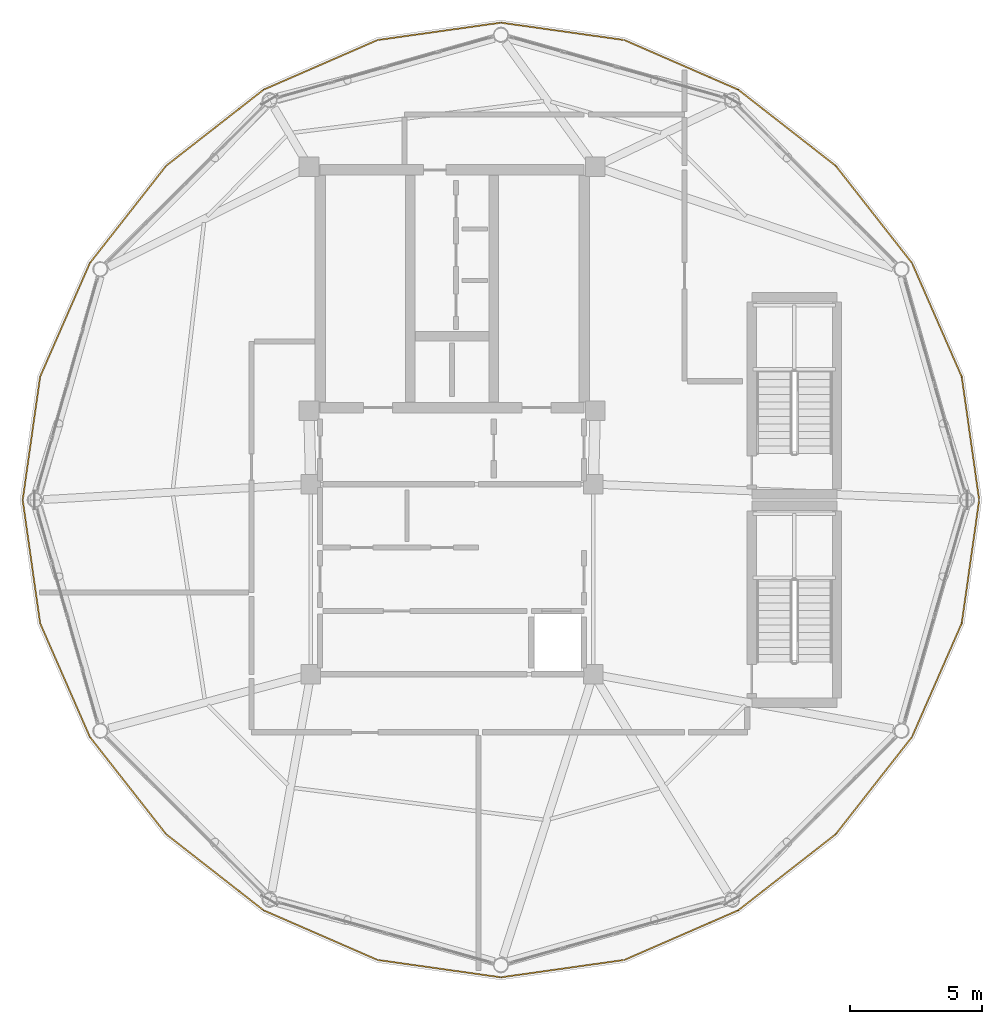
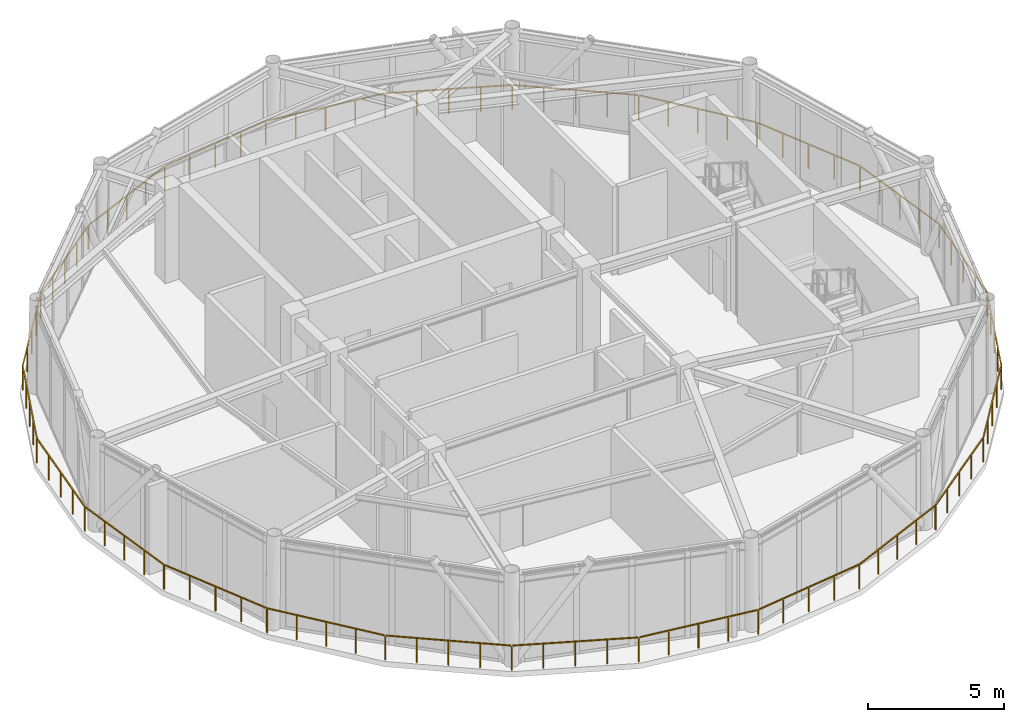
# One storey, part 20 of 21: 1 railing.
"""IFC4 building model written with IfcOpenShell, lengths in metres."""

from ifc_helpers import new_model, si_unit, direction, frame, origin, origin_2d, place, context, subcontext, project, spatial, rectangle, extrude, material, type_object, element, save


model = new_model("IFC4")

# Units and contexts
model_context = context("Model", 3, precision=1e-05, world=origin(), true_north=direction((0.0, 1.0)))
body_context = subcontext(model_context, "Body", "Model", "MODEL_VIEW")
ifc_project = project(units=[si_unit("LENGTHUNIT", "METRE"), si_unit("AREAUNIT", "SQUARE_METRE"), si_unit("VOLUMEUNIT", "CUBIC_METRE"), si_unit("PLANEANGLEUNIT", "RADIAN"), si_unit("MASSUNIT", "GRAM", prefix="KILO")], contexts=[model_context])

# Site, building, storey
site_placement = place(None, origin())
site = spatial("IfcSite", under=ifc_project, at=site_placement, CompositionType="ELEMENT")
building_placement = place(site_placement, origin())
building = spatial("IfcBuilding", under=site, at=building_placement, Name="Varnakorn Sky Granary", CompositionType="ELEMENT")
storey_placement = place(building_placement, frame((0.0, 0.0, 294.0)))
storey = spatial("IfcBuildingStorey", under=building, at=storey_placement, Name="L75", CompositionType="ELEMENT", Elevation=294.0)

# Railing
ifc_material = material(Name="Anodised Bronze Aluminium Alloy 6063-T6", Category="aluminium")
railing_type = type_object("IfcRailingType", Name="RL-BAL-1120", PredefinedType="BALUSTRADE", material=ifc_material)
railing_placement = place(storey_placement, frame((22.962890625, 0.0, 0.0)))
element("IfcRailing", 1, at=railing_placement, inside=storey, type_object=railing_type, Name="Perimeter Slab-Edge Safety Guard L75", PredefinedType="BALUSTRADE", context=body_context, shape_type="SweptSolid", body=[
    extrude(rectangle(XDim=0.048095703125, YDim=0.048095703125, at=origin_2d()), frame((-0.00390625, -0.02783203125, 1.09619140625), z_axis=(-0.140086674206, -0.990139244607, 0.0), x_axis=(0.990139244607, -0.140086674206, 0.0)), (0.0, 0.0, 1.0), 4.656494140625),
    extrude(rectangle(XDim=0.048095703125, YDim=0.048095703125, at=origin_2d()), frame((-0.67138671875, -4.691650390625, 1.09619140625), z_axis=(-0.400682516932, -0.916216961546, 0.0), x_axis=(0.916216961546, -0.400682516932, 0.0)), (0.0, 0.0, 1.0), 4.641845703125),
    extrude(rectangle(XDim=0.048095703125, YDim=0.048095703125, at=origin_2d()), frame((-2.559814453125, -8.9921875, 1.09619140625), z_axis=(-0.61698551262, -0.78697450862, 0.0), x_axis=(0.78697450862, -0.61698551262, 0.0)), (0.0, 0.0, 1.0), 4.62744140625),
    extrude(rectangle(XDim=0.048095703125, YDim=0.048095703125, at=origin_2d()), frame((-5.4541015625, -12.67333984375, 1.09619140625), z_axis=(-0.788130213824, -0.615508542636, 0.0), x_axis=(0.615508542636, -0.788130213824, 0.0)), (0.0, 0.0, 1.0), 4.629638671875),
    extrude(rectangle(XDim=0.048095703125, YDim=0.048095703125, at=origin_2d()), frame((-9.150634765625, -15.55126953125, 1.09619140625), z_axis=(-0.916782702899, -0.399386373911, 0.0), x_axis=(0.399386373911, -0.916782702899, 0.0)), (0.0, 0.0, 1.0), 4.6484375),
    extrude(rectangle(XDim=0.048095703125, YDim=0.048095703125, at=origin_2d()), frame((-13.4658203125, -17.4228515625, 1.09619140625), z_axis=(-0.990211511404, -0.139574935726, 0.0), x_axis=(0.139574935726, -0.990211511404, 0.0)), (0.0, 0.0, 1.0), 4.6650390625),
    extrude(rectangle(XDim=0.048095703125, YDim=0.048095703125, at=origin_2d()), frame((-18.140625, -18.073974609375, 1.09619140625), z_axis=(-0.990212518767, 0.139567788822, 0.0), x_axis=(-0.139567788822, -0.990212518767, 0.0)), (0.0, 0.0, 1.0), 4.665283203125),
    extrude(rectangle(XDim=0.048095703125, YDim=0.048095703125, at=origin_2d()), frame((-22.8134765625, -17.40771484375, 1.09619140625), z_axis=(-0.916782702899, 0.399386373911, 0.0), x_axis=(-0.399386373911, -0.916782702899, 0.0)), (0.0, 0.0, 1.0), 4.6484375),
    extrude(rectangle(XDim=0.048095703125, YDim=0.048095703125, at=origin_2d()), frame((-27.122802734375, -15.522705078125, 1.09619140625), z_axis=(-0.788130213824, 0.615508542636, 0.0), x_axis=(-0.615508542636, -0.788130213824, 0.0)), (0.0, 0.0, 1.0), 4.629638671875),
    extrude(rectangle(XDim=0.048095703125, YDim=0.048095703125, at=origin_2d()), frame((-30.81103515625, -12.634033203125, 1.09619140625), z_axis=(-0.61698551262, 0.78697450862, 0.0), x_axis=(-0.78697450862, -0.61698551262, 0.0)), (0.0, 0.0, 1.0), 4.62744140625),
    extrude(rectangle(XDim=0.048095703125, YDim=0.048095703125, at=origin_2d()), frame((-33.694580078125, -8.944580078125, 1.09619140625), z_axis=(-0.400682516932, 0.916216961546, 0.0), x_axis=(-0.916216961546, -0.400682516932, 0.0)), (0.0, 0.0, 1.0), 4.641845703125),
    extrude(rectangle(XDim=0.048095703125, YDim=0.048095703125, at=origin_2d()), frame((-35.569580078125, -4.63818359375, 1.09619140625), z_axis=(-0.140086674206, 0.990139244607, 0.0), x_axis=(-0.990139244607, -0.140086674206, 0.0)), (0.0, 0.0, 1.0), 4.656494140625),
    extrude(rectangle(XDim=0.048095703125, YDim=0.048095703125, at=origin_2d()), frame((-36.221923828125, 0.02783203125, 1.09619140625), z_axis=(0.140086674206, 0.990139244607, 0.0), x_axis=(-0.990139244607, 0.140086674206, 0.0)), (0.0, 0.0, 1.0), 4.656494140625),
    extrude(rectangle(XDim=0.048095703125, YDim=0.048095703125, at=origin_2d()), frame((-35.554443359375, 4.691650390625, 1.09619140625), z_axis=(0.400682516932, 0.916216961546, 0.0), x_axis=(-0.916216961546, 0.400682516932, 0.0)), (0.0, 0.0, 1.0), 4.641845703125),
    extrude(rectangle(XDim=0.048095703125, YDim=0.048095703125, at=origin_2d()), frame((-33.666015625, 8.9921875, 1.09619140625), z_axis=(0.61698551262, 0.78697450862, 0.0), x_axis=(-0.78697450862, 0.61698551262, 0.0)), (0.0, 0.0, 1.0), 4.62744140625),
    extrude(rectangle(XDim=0.048095703125, YDim=0.048095703125, at=origin_2d()), frame((-30.771728515625, 12.67333984375, 1.09619140625), z_axis=(0.788130213824, 0.615508542636, 0.0), x_axis=(-0.615508542636, 0.788130213824, 0.0)), (0.0, 0.0, 1.0), 4.629638671875),
    extrude(rectangle(XDim=0.048095703125, YDim=0.048095703125, at=origin_2d()), frame((-27.0751953125, 15.55126953125, 1.09619140625), z_axis=(0.916782702899, 0.399386373911, 0.0), x_axis=(-0.399386373911, 0.916782702899, 0.0)), (0.0, 0.0, 1.0), 4.6484375),
    extrude(rectangle(XDim=0.048095703125, YDim=0.048095703125, at=origin_2d()), frame((-22.760009765625, 17.4228515625, 1.09619140625), z_axis=(0.990212518767, 0.139567788822, 0.0), x_axis=(-0.139567788822, 0.990212518767, 0.0)), (0.0, 0.0, 1.0), 4.665283203125),
    extrude(rectangle(XDim=0.048095703125, YDim=0.048095703125, at=origin_2d()), frame((-18.0849609375, 18.073974609375, 1.09619140625), z_axis=(0.990211511404, -0.139574935726, 0.0), x_axis=(0.139574935726, 0.990211511404, 0.0)), (0.0, 0.0, 1.0), 4.6650390625),
    extrude(rectangle(XDim=0.048095703125, YDim=0.048095703125, at=origin_2d()), frame((-13.412353515625, 17.40771484375, 1.09619140625), z_axis=(0.916782702899, -0.399386373911, 0.0), x_axis=(0.399386373911, 0.916782702899, 0.0)), (0.0, 0.0, 1.0), 4.6484375),
    extrude(rectangle(XDim=0.048095703125, YDim=0.048095703125, at=origin_2d()), frame((-9.10302734375, 15.522705078125, 1.09619140625), z_axis=(0.788130213824, -0.615508542636, 0.0), x_axis=(0.615508542636, 0.788130213824, 0.0)), (0.0, 0.0, 1.0), 4.629638671875),
    extrude(rectangle(XDim=0.048095703125, YDim=0.048095703125, at=origin_2d()), frame((-5.414794921875, 12.634033203125, 1.09619140625), z_axis=(0.61698551262, -0.78697450862, 0.0), x_axis=(0.78697450862, 0.61698551262, 0.0)), (0.0, 0.0, 1.0), 4.62744140625),
    extrude(rectangle(XDim=0.048095703125, YDim=0.048095703125, at=origin_2d()), frame((-2.53125, 8.944580078125, 1.09619140625), z_axis=(0.400682516932, -0.916216961546, 0.0), x_axis=(0.916216961546, 0.400682516932, 0.0)), (0.0, 0.0, 1.0), 4.641845703125),
    extrude(rectangle(XDim=0.048095703125, YDim=0.048095703125, at=origin_2d()), frame((-0.65625, 4.63818359375, 1.09619140625), z_axis=(0.140086674206, -0.990139244607, 0.0), x_axis=(0.990139244607, 0.140086674206, 0.0)), (0.0, 0.0, 1.0), 4.656494140625),
    extrude(rectangle(XDim=0.0419921875, YDim=0.0419921875, at=origin_2d()), origin(), (0.0, 0.0, 1.0), 1.068115234375),
    extrude(rectangle(XDim=0.0419921875, YDim=0.0419921875, at=origin_2d()), frame((-0.1650390625, -1.16650390625, 0.0)), (0.0, 0.0, 1.0), 1.068115234375),
    extrude(rectangle(XDim=0.0419921875, YDim=0.0419921875, at=origin_2d()), frame((-0.330078125, -2.3330078125, 0.0)), (0.0, 0.0, 1.0), 1.068115234375),
    extrude(rectangle(XDim=0.0419921875, YDim=0.0419921875, at=origin_2d()), frame((-0.4951171875, -3.49951171875, 0.0)), (0.0, 0.0, 1.0), 1.068115234375),
    extrude(rectangle(XDim=0.0419921875, YDim=0.0419921875, at=origin_2d()), frame((-0.66015625, -4.666015625, 0.0)), (0.0, 0.0, 1.0), 1.068115234375),
    extrude(rectangle(XDim=0.0419921875, YDim=0.0419921875, at=origin_2d()), frame((-1.130859375, -5.7421875, 0.0)), (0.0, 0.0, 1.0), 1.068115234375),
    extrude(rectangle(XDim=0.0419921875, YDim=0.0419921875, at=origin_2d()), frame((-1.601318359375, -6.818115234375, 0.0)), (0.0, 0.0, 1.0), 1.068115234375),
    extrude(rectangle(XDim=0.0419921875, YDim=0.0419921875, at=origin_2d()), frame((-2.07177734375, -7.89404296875, 0.0)), (0.0, 0.0, 1.0), 1.068115234375),
    extrude(rectangle(XDim=0.0419921875, YDim=0.0419921875, at=origin_2d()), frame((-2.54248046875, -8.97021484375, 0.0)), (0.0, 0.0, 1.0), 1.068115234375),
    extrude(rectangle(XDim=0.0419921875, YDim=0.0419921875, at=origin_2d()), frame((-3.264892578125, -9.8916015625, 0.0)), (0.0, 0.0, 1.0), 1.068115234375),
    extrude(rectangle(XDim=0.0419921875, YDim=0.0419921875, at=origin_2d()), frame((-3.9873046875, -10.81298828125, 0.0)), (0.0, 0.0, 1.0), 1.068115234375),
    extrude(rectangle(XDim=0.0419921875, YDim=0.0419921875, at=origin_2d()), frame((-4.709716796875, -11.734619140625, 0.0)), (0.0, 0.0, 1.0), 1.068115234375),
    extrude(rectangle(XDim=0.0419921875, YDim=0.0419921875, at=origin_2d()), frame((-5.43212890625, -12.656005859375, 0.0)), (0.0, 0.0, 1.0), 1.068115234375),
    extrude(rectangle(XDim=0.0419921875, YDim=0.0419921875, at=origin_2d()), frame((-6.35546875, -13.376953125, 0.0)), (0.0, 0.0, 1.0), 1.068115234375),
    extrude(rectangle(XDim=0.0419921875, YDim=0.0419921875, at=origin_2d()), frame((-7.278564453125, -14.09814453125, 0.0)), (0.0, 0.0, 1.0), 1.068115234375),
    extrude(rectangle(XDim=0.0419921875, YDim=0.0419921875, at=origin_2d()), frame((-8.20166015625, -14.819091796875, 0.0)), (0.0, 0.0, 1.0), 1.068115234375),
    extrude(rectangle(XDim=0.0419921875, YDim=0.0419921875, at=origin_2d()), frame((-9.125, -15.5400390625, 0.0)), (0.0, 0.0, 1.0), 1.068115234375),
    extrude(rectangle(XDim=0.0419921875, YDim=0.0419921875, at=origin_2d()), frame((-10.203125, -16.009765625, 0.0)), (0.0, 0.0, 1.0), 1.068115234375),
    extrude(rectangle(XDim=0.0419921875, YDim=0.0419921875, at=origin_2d()), frame((-11.281494140625, -16.4794921875, 0.0)), (0.0, 0.0, 1.0), 1.068115234375),
    extrude(rectangle(XDim=0.0419921875, YDim=0.0419921875, at=origin_2d()), frame((-12.35986328125, -16.94921875, 0.0)), (0.0, 0.0, 1.0), 1.068115234375),
    extrude(rectangle(XDim=0.0419921875, YDim=0.0419921875, at=origin_2d()), frame((-13.43798828125, -17.4189453125, 0.0)), (0.0, 0.0, 1.0), 1.068115234375),
    extrude(rectangle(XDim=0.0419921875, YDim=0.0419921875, at=origin_2d()), frame((-14.606689453125, -17.583740234375, 0.0)), (0.0, 0.0, 1.0), 1.068115234375),
    extrude(rectangle(XDim=0.0419921875, YDim=0.0419921875, at=origin_2d()), frame((-15.775390625, -17.74853515625, 0.0)), (0.0, 0.0, 1.0), 1.068115234375),
    extrude(rectangle(XDim=0.0419921875, YDim=0.0419921875, at=origin_2d()), frame((-16.944091796875, -17.9130859375, 0.0)), (0.0, 0.0, 1.0), 1.068115234375),
    extrude(rectangle(XDim=0.0419921875, YDim=0.0419921875, at=origin_2d()), frame((-18.11279296875, -18.077880859375, 0.0)), (0.0, 0.0, 1.0), 1.068115234375),
    extrude(rectangle(XDim=0.0419921875, YDim=0.0419921875, at=origin_2d()), frame((-19.281494140625, -17.9130859375, 0.0)), (0.0, 0.0, 1.0), 1.068115234375),
    extrude(rectangle(XDim=0.0419921875, YDim=0.0419921875, at=origin_2d()), frame((-20.4501953125, -17.74853515625, 0.0)), (0.0, 0.0, 1.0), 1.068115234375),
    extrude(rectangle(XDim=0.0419921875, YDim=0.0419921875, at=origin_2d()), frame((-21.619140625, -17.583740234375, 0.0)), (0.0, 0.0, 1.0), 1.068115234375),
    extrude(rectangle(XDim=0.0419921875, YDim=0.0419921875, at=origin_2d()), frame((-22.787841796875, -17.4189453125, 0.0)), (0.0, 0.0, 1.0), 1.068115234375),
    extrude(rectangle(XDim=0.0419921875, YDim=0.0419921875, at=origin_2d()), frame((-23.8662109375, -16.94921875, 0.0)), (0.0, 0.0, 1.0), 1.068115234375),
    extrude(rectangle(XDim=0.0419921875, YDim=0.0419921875, at=origin_2d()), frame((-24.9443359375, -16.4794921875, 0.0)), (0.0, 0.0, 1.0), 1.068115234375),
    extrude(rectangle(XDim=0.0419921875, YDim=0.0419921875, at=origin_2d()), frame((-26.0224609375, -16.009765625, 0.0)), (0.0, 0.0, 1.0), 1.068115234375),
    extrude(rectangle(XDim=0.0419921875, YDim=0.0419921875, at=origin_2d()), frame((-27.100830078125, -15.5400390625, 0.0)), (0.0, 0.0, 1.0), 1.068115234375),
    extrude(rectangle(XDim=0.0419921875, YDim=0.0419921875, at=origin_2d()), frame((-28.02392578125, -14.819091796875, 0.0)), (0.0, 0.0, 1.0), 1.068115234375),
    extrude(rectangle(XDim=0.0419921875, YDim=0.0419921875, at=origin_2d()), frame((-28.947265625, -14.09814453125, 0.0)), (0.0, 0.0, 1.0), 1.068115234375),
    extrude(rectangle(XDim=0.0419921875, YDim=0.0419921875, at=origin_2d()), frame((-29.87060546875, -13.376953125, 0.0)), (0.0, 0.0, 1.0), 1.068115234375),
    extrude(rectangle(XDim=0.0419921875, YDim=0.0419921875, at=origin_2d()), frame((-30.793701171875, -12.656005859375, 0.0)), (0.0, 0.0, 1.0), 1.068115234375),
    extrude(rectangle(XDim=0.0419921875, YDim=0.0419921875, at=origin_2d()), frame((-31.51611328125, -11.734619140625, 0.0)), (0.0, 0.0, 1.0), 1.068115234375),
    extrude(rectangle(XDim=0.0419921875, YDim=0.0419921875, at=origin_2d()), frame((-32.238525390625, -10.81298828125, 0.0)), (0.0, 0.0, 1.0), 1.068115234375),
    extrude(rectangle(XDim=0.0419921875, YDim=0.0419921875, at=origin_2d()), frame((-32.9609375, -9.8916015625, 0.0)), (0.0, 0.0, 1.0), 1.068115234375),
    extrude(rectangle(XDim=0.0419921875, YDim=0.0419921875, at=origin_2d()), frame((-33.683349609375, -8.97021484375, 0.0)), (0.0, 0.0, 1.0), 1.068115234375),
    extrude(rectangle(XDim=0.0419921875, YDim=0.0419921875, at=origin_2d()), frame((-34.15380859375, -7.89404296875, 0.0)), (0.0, 0.0, 1.0), 1.068115234375),
    extrude(rectangle(XDim=0.0419921875, YDim=0.0419921875, at=origin_2d()), frame((-34.62451171875, -6.818115234375, 0.0)), (0.0, 0.0, 1.0), 1.068115234375),
    extrude(rectangle(XDim=0.0419921875, YDim=0.0419921875, at=origin_2d()), frame((-35.09521484375, -5.7421875, 0.0)), (0.0, 0.0, 1.0), 1.068115234375),
    extrude(rectangle(XDim=0.0419921875, YDim=0.0419921875, at=origin_2d()), frame((-35.565673828125, -4.666015625, 0.0)), (0.0, 0.0, 1.0), 1.068115234375),
    extrude(rectangle(XDim=0.0419921875, YDim=0.0419921875, at=origin_2d()), frame((-35.730712890625, -3.49951171875, 0.0)), (0.0, 0.0, 1.0), 1.068115234375),
    extrude(rectangle(XDim=0.0419921875, YDim=0.0419921875, at=origin_2d()), frame((-35.895751953125, -2.3330078125, 0.0)), (0.0, 0.0, 1.0), 1.068115234375),
    extrude(rectangle(XDim=0.0419921875, YDim=0.0419921875, at=origin_2d()), frame((-36.060791015625, -1.16650390625, 0.0)), (0.0, 0.0, 1.0), 1.068115234375),
    extrude(rectangle(XDim=0.0419921875, YDim=0.0419921875, at=origin_2d()), frame((-36.225830078125, 0.0, 0.0)), (0.0, 0.0, 1.0), 1.068115234375),
    extrude(rectangle(XDim=0.0419921875, YDim=0.0419921875, at=origin_2d()), frame((-36.060791015625, 1.16650390625, 0.0)), (0.0, 0.0, 1.0), 1.068115234375),
    extrude(rectangle(XDim=0.0419921875, YDim=0.0419921875, at=origin_2d()), frame((-35.895751953125, 2.3330078125, 0.0)), (0.0, 0.0, 1.0), 1.068115234375),
    extrude(rectangle(XDim=0.0419921875, YDim=0.0419921875, at=origin_2d()), frame((-35.730712890625, 3.49951171875, 0.0)), (0.0, 0.0, 1.0), 1.068115234375),
    extrude(rectangle(XDim=0.0419921875, YDim=0.0419921875, at=origin_2d()), frame((-35.565673828125, 4.666015625, 0.0)), (0.0, 0.0, 1.0), 1.068115234375),
    extrude(rectangle(XDim=0.0419921875, YDim=0.0419921875, at=origin_2d()), frame((-35.09521484375, 5.7421875, 0.0)), (0.0, 0.0, 1.0), 1.068115234375),
    extrude(rectangle(XDim=0.0419921875, YDim=0.0419921875, at=origin_2d()), frame((-34.62451171875, 6.818115234375, 0.0)), (0.0, 0.0, 1.0), 1.068115234375),
    extrude(rectangle(XDim=0.0419921875, YDim=0.0419921875, at=origin_2d()), frame((-34.15380859375, 7.89404296875, 0.0)), (0.0, 0.0, 1.0), 1.068115234375),
    extrude(rectangle(XDim=0.0419921875, YDim=0.0419921875, at=origin_2d()), frame((-33.683349609375, 8.97021484375, 0.0)), (0.0, 0.0, 1.0), 1.068115234375),
    extrude(rectangle(XDim=0.0419921875, YDim=0.0419921875, at=origin_2d()), frame((-32.9609375, 9.8916015625, 0.0)), (0.0, 0.0, 1.0), 1.068115234375),
    extrude(rectangle(XDim=0.0419921875, YDim=0.0419921875, at=origin_2d()), frame((-32.238525390625, 10.81298828125, 0.0)), (0.0, 0.0, 1.0), 1.068115234375),
    extrude(rectangle(XDim=0.0419921875, YDim=0.0419921875, at=origin_2d()), frame((-31.51611328125, 11.734619140625, 0.0)), (0.0, 0.0, 1.0), 1.068115234375),
    extrude(rectangle(XDim=0.0419921875, YDim=0.0419921875, at=origin_2d()), frame((-30.793701171875, 12.656005859375, 0.0)), (0.0, 0.0, 1.0), 1.068115234375),
    extrude(rectangle(XDim=0.0419921875, YDim=0.0419921875, at=origin_2d()), frame((-29.87060546875, 13.376953125, 0.0)), (0.0, 0.0, 1.0), 1.068115234375),
    extrude(rectangle(XDim=0.0419921875, YDim=0.0419921875, at=origin_2d()), frame((-28.947265625, 14.09814453125, 0.0)), (0.0, 0.0, 1.0), 1.068115234375),
    extrude(rectangle(XDim=0.0419921875, YDim=0.0419921875, at=origin_2d()), frame((-28.02392578125, 14.819091796875, 0.0)), (0.0, 0.0, 1.0), 1.068115234375),
    extrude(rectangle(XDim=0.0419921875, YDim=0.0419921875, at=origin_2d()), frame((-27.100830078125, 15.5400390625, 0.0)), (0.0, 0.0, 1.0), 1.068115234375),
    extrude(rectangle(XDim=0.0419921875, YDim=0.0419921875, at=origin_2d()), frame((-26.0224609375, 16.009765625, 0.0)), (0.0, 0.0, 1.0), 1.068115234375),
    extrude(rectangle(XDim=0.0419921875, YDim=0.0419921875, at=origin_2d()), frame((-24.9443359375, 16.4794921875, 0.0)), (0.0, 0.0, 1.0), 1.068115234375),
    extrude(rectangle(XDim=0.0419921875, YDim=0.0419921875, at=origin_2d()), frame((-23.8662109375, 16.94921875, 0.0)), (0.0, 0.0, 1.0), 1.068115234375),
    extrude(rectangle(XDim=0.0419921875, YDim=0.0419921875, at=origin_2d()), frame((-22.787841796875, 17.4189453125, 0.0)), (0.0, 0.0, 1.0), 1.068115234375),
    extrude(rectangle(XDim=0.0419921875, YDim=0.0419921875, at=origin_2d()), frame((-21.619140625, 17.583740234375, 0.0)), (0.0, 0.0, 1.0), 1.068115234375),
    extrude(rectangle(XDim=0.0419921875, YDim=0.0419921875, at=origin_2d()), frame((-20.4501953125, 17.74853515625, 0.0)), (0.0, 0.0, 1.0), 1.068115234375),
    extrude(rectangle(XDim=0.0419921875, YDim=0.0419921875, at=origin_2d()), frame((-19.281494140625, 17.9130859375, 0.0)), (0.0, 0.0, 1.0), 1.068115234375),
    extrude(rectangle(XDim=0.0419921875, YDim=0.0419921875, at=origin_2d()), frame((-18.11279296875, 18.077880859375, 0.0)), (0.0, 0.0, 1.0), 1.068115234375),
    extrude(rectangle(XDim=0.0419921875, YDim=0.0419921875, at=origin_2d()), frame((-16.944091796875, 17.9130859375, 0.0)), (0.0, 0.0, 1.0), 1.068115234375),
    extrude(rectangle(XDim=0.0419921875, YDim=0.0419921875, at=origin_2d()), frame((-15.775390625, 17.74853515625, 0.0)), (0.0, 0.0, 1.0), 1.068115234375),
    extrude(rectangle(XDim=0.0419921875, YDim=0.0419921875, at=origin_2d()), frame((-14.606689453125, 17.583740234375, 0.0)), (0.0, 0.0, 1.0), 1.068115234375),
    extrude(rectangle(XDim=0.0419921875, YDim=0.0419921875, at=origin_2d()), frame((-13.43798828125, 17.4189453125, 0.0)), (0.0, 0.0, 1.0), 1.068115234375),
    extrude(rectangle(XDim=0.0419921875, YDim=0.0419921875, at=origin_2d()), frame((-12.35986328125, 16.94921875, 0.0)), (0.0, 0.0, 1.0), 1.068115234375),
    extrude(rectangle(XDim=0.0419921875, YDim=0.0419921875, at=origin_2d()), frame((-11.281494140625, 16.4794921875, 0.0)), (0.0, 0.0, 1.0), 1.068115234375),
    extrude(rectangle(XDim=0.0419921875, YDim=0.0419921875, at=origin_2d()), frame((-10.203125, 16.009765625, 0.0)), (0.0, 0.0, 1.0), 1.068115234375),
    extrude(rectangle(XDim=0.0419921875, YDim=0.0419921875, at=origin_2d()), frame((-9.125, 15.5400390625, 0.0)), (0.0, 0.0, 1.0), 1.068115234375),
    extrude(rectangle(XDim=0.0419921875, YDim=0.0419921875, at=origin_2d()), frame((-8.20166015625, 14.819091796875, 0.0)), (0.0, 0.0, 1.0), 1.068115234375),
    extrude(rectangle(XDim=0.0419921875, YDim=0.0419921875, at=origin_2d()), frame((-7.278564453125, 14.09814453125, 0.0)), (0.0, 0.0, 1.0), 1.068115234375),
    extrude(rectangle(XDim=0.0419921875, YDim=0.0419921875, at=origin_2d()), frame((-6.35546875, 13.376953125, 0.0)), (0.0, 0.0, 1.0), 1.068115234375),
    extrude(rectangle(XDim=0.0419921875, YDim=0.0419921875, at=origin_2d()), frame((-5.43212890625, 12.656005859375, 0.0)), (0.0, 0.0, 1.0), 1.068115234375),
    extrude(rectangle(XDim=0.0419921875, YDim=0.0419921875, at=origin_2d()), frame((-4.709716796875, 11.734619140625, 0.0)), (0.0, 0.0, 1.0), 1.068115234375),
    extrude(rectangle(XDim=0.0419921875, YDim=0.0419921875, at=origin_2d()), frame((-3.9873046875, 10.81298828125, 0.0)), (0.0, 0.0, 1.0), 1.068115234375),
    extrude(rectangle(XDim=0.0419921875, YDim=0.0419921875, at=origin_2d()), frame((-3.264892578125, 9.8916015625, 0.0)), (0.0, 0.0, 1.0), 1.068115234375),
    extrude(rectangle(XDim=0.0419921875, YDim=0.0419921875, at=origin_2d()), frame((-2.54248046875, 8.97021484375, 0.0)), (0.0, 0.0, 1.0), 1.068115234375),
    extrude(rectangle(XDim=0.0419921875, YDim=0.0419921875, at=origin_2d()), frame((-2.07177734375, 7.89404296875, 0.0)), (0.0, 0.0, 1.0), 1.068115234375),
    extrude(rectangle(XDim=0.0419921875, YDim=0.0419921875, at=origin_2d()), frame((-1.601318359375, 6.818115234375, 0.0)), (0.0, 0.0, 1.0), 1.068115234375),
    extrude(rectangle(XDim=0.0419921875, YDim=0.0419921875, at=origin_2d()), frame((-1.130859375, 5.7421875, 0.0)), (0.0, 0.0, 1.0), 1.068115234375),
    extrude(rectangle(XDim=0.0419921875, YDim=0.0419921875, at=origin_2d()), frame((-0.66015625, 4.666015625, 0.0)), (0.0, 0.0, 1.0), 1.068115234375),
    extrude(rectangle(XDim=0.0419921875, YDim=0.0419921875, at=origin_2d()), frame((-0.4951171875, 3.49951171875, 0.0)), (0.0, 0.0, 1.0), 1.068115234375),
    extrude(rectangle(XDim=0.0419921875, YDim=0.0419921875, at=origin_2d()), frame((-0.330078125, 2.3330078125, 0.0)), (0.0, 0.0, 1.0), 1.068115234375),
    extrude(rectangle(XDim=0.0419921875, YDim=0.0419921875, at=origin_2d()), frame((-0.1650390625, 1.16650390625, 0.0)), (0.0, 0.0, 1.0), 1.068115234375),
])

save(model, "model.ifc")
